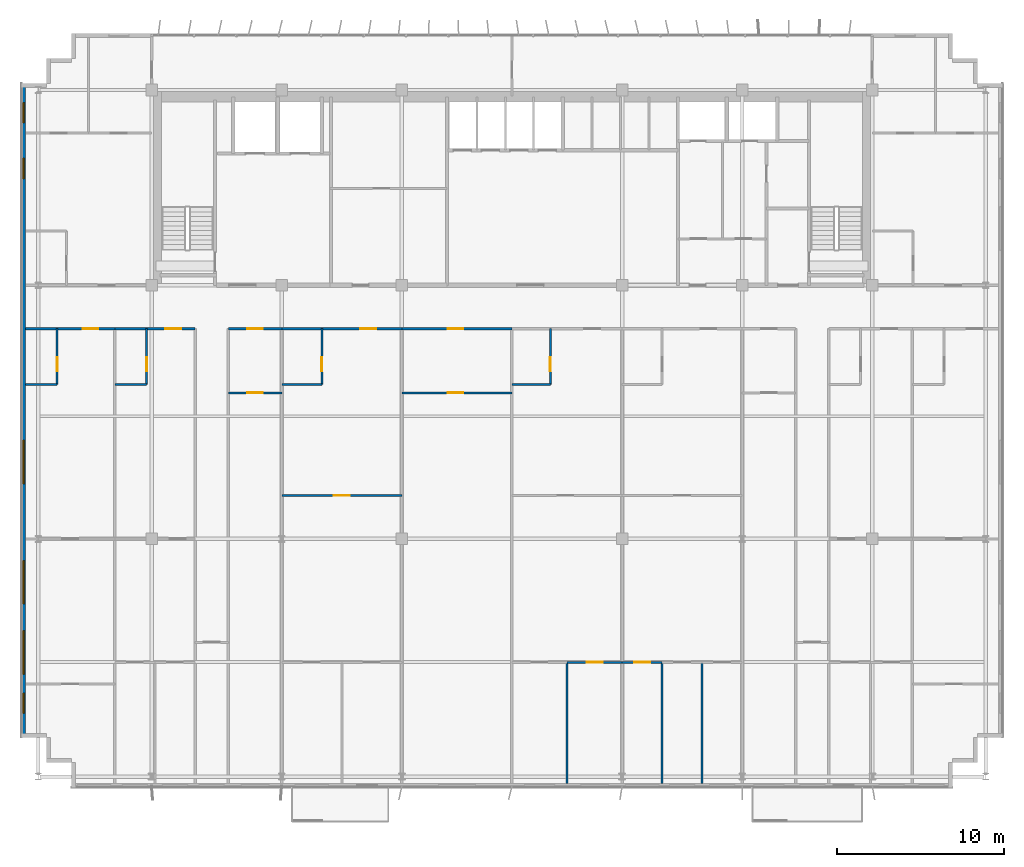
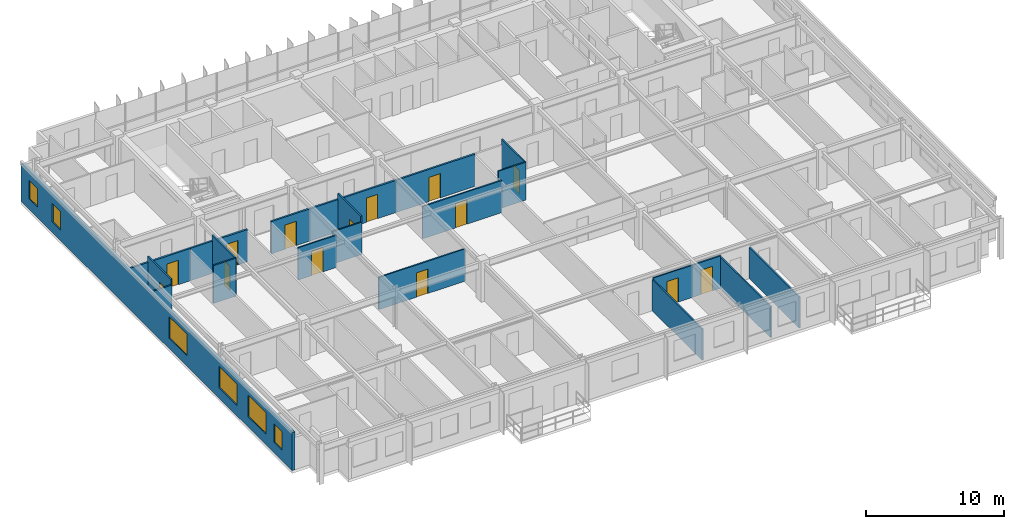
# One storey, part 16 of 22: 22 walls, 14 doors, 6 windows, 20 openings.
"""IFC4 building model written with IfcOpenShell, lengths in metres."""

import ifcopenshell
import ifcopenshell.guid

model = None  # the IFC model being written
_history = None  # IfcOwnerHistory: only IFC2X3 demands one
_inside = {}  # id of a spatial element -> (the spatial element, [elements in it])
_under = {}  # id of a project, library or spatial element -> (it, [spatial elements below it])
_declared = {}  # id of a project -> (the project, [libraries it declares])
_typed = {}  # id of a type object -> (the type object, [elements of that type])
_made_of = {}  # id of a material, layer set ... -> (it, [elements and type objects made of it])


def new_model(schema):
    """Start an empty IFC model of exactly this schema.

    Asked for "IFC4X3", IfcOpenShell would pick the latest addendum, in which some entities
    have other attributes; the version numbers below select the first issue.
    IFC2X3 requires an IfcOwnerHistory on every rooted entity: one is made here for all.
    """
    global model, _history
    if schema == "IFC4X3":
        model = ifcopenshell.file(schema_version=(4, 3, 0, 0))
    else:
        model = ifcopenshell.file(schema=schema)
    _inside.clear()
    _under.clear()
    _declared.clear()
    _typed.clear()
    _made_of.clear()
    _history = None
    if model.schema == "IFC2X3":
        org = make("IfcOrganization", Name="unknown")
        user = make(
            "IfcPersonAndOrganization",
            ThePerson=make("IfcPerson", FamilyName="unknown"),
            TheOrganization=org,
        )
        app = make(
            "IfcApplication",
            ApplicationDeveloper=org,
            Version="unknown",
            ApplicationFullName="unknown",
            ApplicationIdentifier="unknown",
        )
        _history = make(
            "IfcOwnerHistory",
            OwningUser=user,
            OwningApplication=app,
            ChangeAction="ADDED",
            CreationDate=0,
        )
    return model


def make(cls, **values):
    """One entity of the class cls with the attributes given. An attribute that is None is left unset."""
    return model.create_entity(
        cls, **{name: value for name, value in values.items() if value is not None}
    )


def rooted(cls, **values):
    """An entity with a GlobalId (a new one), such as an element, a storey or a relation."""
    return make(cls, GlobalId=ifcopenshell.guid.new(), OwnerHistory=_history, **values)


def si_unit(unit_type, name, prefix=None):
    """IfcSIUnit, for example si_unit("LENGTHUNIT", "METRE", prefix="MILLI")."""
    return make("IfcSIUnit", UnitType=unit_type, Prefix=prefix, Name=name)


def assignment(units):
    """IfcUnitAssignment: the units of a project."""
    return None if units is None else make("IfcUnitAssignment", Units=units)


def point(xyz):
    """IfcCartesianPoint."""
    return None if xyz is None else make("IfcCartesianPoint", Coordinates=xyz)


def direction(xyz):
    """IfcDirection."""
    return None if xyz is None else make("IfcDirection", DirectionRatios=xyz)


def frame(location, z_axis=None, x_axis=None):
    """IfcAxis2Placement3D, a coordinate frame: its origin and axes. An axis left out is left unset."""
    return make(
        "IfcAxis2Placement3D",
        Location=point(location),
        Axis=direction(z_axis),
        RefDirection=direction(x_axis),
    )


def frame_2d(location, x_axis=None):
    """IfcAxis2Placement2D, a coordinate frame in the plane: its origin and x axis."""
    return make(
        "IfcAxis2Placement2D", Location=point(location), RefDirection=direction(x_axis)
    )


def origin():
    """The frame at (0, 0, 0) with its axes left unset."""
    return frame((0.0, 0.0, 0.0))


def place(relative_to, where):
    """IfcLocalPlacement: puts the frame where relative to a parent placement (None: the world)."""
    return make(
        "IfcLocalPlacement", PlacementRelTo=relative_to, RelativePlacement=where
    )


def context(
    kind, dimensions, precision=None, world=None, true_north=None, identifier=None
):
    """IfcGeometricRepresentationContext, for example the 3D "Model" context."""
    return make(
        "IfcGeometricRepresentationContext",
        ContextIdentifier=identifier,
        ContextType=kind,
        CoordinateSpaceDimension=dimensions,
        Precision=precision,
        WorldCoordinateSystem=world,
        TrueNorth=true_north,
    )


def subcontext(parent, identifier, kind, view, scale=None):
    """IfcGeometricRepresentationSubContext, for example "Body" below "Model"."""
    return make(
        "IfcGeometricRepresentationSubContext",
        ContextIdentifier=identifier,
        ContextType=kind,
        ParentContext=parent,
        TargetScale=scale,
        TargetView=view,
    )


def project(units=None, contexts=None):
    """IfcProject with its units and contexts."""
    return rooted(
        "IfcProject",
        Name="project",
        RepresentationContexts=contexts,
        UnitsInContext=assignment(units),
    )


def spatial(cls, under=None, at=None, **own):
    """A site, building, storey or space (cls), placed at a placement, below another one or the project."""
    s = rooted(cls, ObjectPlacement=at, **own)
    if under is not None:
        _under.setdefault(under.id(), (under, []))[1].append(s)
    return s


def profile(cls, at=None, kind="AREA", **sizes):
    """A parametric profile (cls). Its sizes go by their IFC names, for example OverallWidth=200.0."""
    return make(cls, ProfileType=kind, Position=at, **sizes)


def rectangle(**sizes):
    """IfcRectangleProfileDef."""
    return profile("IfcRectangleProfileDef", **sizes)


def extrude(swept, where, along, depth):
    """IfcExtrudedAreaSolid: the profile swept, set in the frame where, extruded along a direction by depth."""
    return make(
        "IfcExtrudedAreaSolid",
        SweptArea=swept,
        Position=where,
        ExtrudedDirection=direction(along),
        Depth=depth,
    )


def shape(context_of_items, identifier, shape_type, items):
    """IfcShapeRepresentation: the items that make up one representation, for example the "Body"."""
    return make(
        "IfcShapeRepresentation",
        ContextOfItems=context_of_items,
        RepresentationIdentifier=identifier,
        RepresentationType=shape_type,
        Items=items,
    )


def source(mapping_origin, context_of_items, identifier, shape_type, items):
    """IfcRepresentationMap: a shape defined once, which mapped items show again and again."""
    return make(
        "IfcRepresentationMap",
        MappingOrigin=mapping_origin,
        MappedRepresentation=shape(context_of_items, identifier, shape_type, items),
    )


def transform(
    local_origin,
    x_axis=None,
    y_axis=None,
    z_axis=None,
    scale=None,
    scale2=None,
    scale3=None,
    uniform=True,
):
    """IfcCartesianTransformationOperator3D, or its non-uniform kind. x_axis, y_axis, z_axis: its Axis1, 2, 3."""
    if uniform:
        return make(
            "IfcCartesianTransformationOperator3D",
            Axis1=direction(x_axis),
            Axis2=direction(y_axis),
            LocalOrigin=point(local_origin),
            Scale=scale,
            Axis3=direction(z_axis),
        )
    return make(
        "IfcCartesianTransformationOperator3DnonUniform",
        Axis1=direction(x_axis),
        Axis2=direction(y_axis),
        LocalOrigin=point(local_origin),
        Scale=scale,
        Axis3=direction(z_axis),
        Scale2=scale2,
        Scale3=scale3,
    )


def mapped(mapping_source, mapping_target):
    """IfcMappedItem: shows the shape of a source again, moved by a transform."""
    return make(
        "IfcMappedItem", MappingSource=mapping_source, MappingTarget=mapping_target
    )


def material(Name=None, Category=None):
    """IfcMaterial."""
    return make("IfcMaterial", Name=Name, Category=Category)


def layer(
    of_material, thickness, ventilated=None, Name=None, Category=None, Priority=None
):
    """IfcMaterialLayer: one layer of a wall or slab, of a material (None: an air gap)."""
    return make(
        "IfcMaterialLayer",
        Material=of_material,
        LayerThickness=thickness,
        IsVentilated=ventilated,
        Name=Name,
        Category=Category,
        Priority=Priority,
    )


def layer_set(layers, Name=None):
    """IfcMaterialLayerSet."""
    return make("IfcMaterialLayerSet", MaterialLayers=layers, LayerSetName=Name)


def made_of(thing, what):
    """Note that an element or type object is made of a material, layer set ...; save() writes the relation."""
    if what is not None:
        _made_of.setdefault(what.id(), (what, []))[1].append(thing)
    return thing


def type_object(cls, material=None, **own):
    """A type object (cls), such as IfcWallType, which elements share."""
    return made_of(rooted(cls, **own), material)


def element(
    cls,
    number,
    at=None,
    inside=None,
    cuts=None,
    type_object=None,
    material=None,
    context=None,
    identifier="Body",
    shape_type=None,
    held_by="IfcProductDefinitionShape",
    body=None,
    shapes=None,
    **own,
):
    """One element of the class cls, such as IfcWall. Its Tag is "e" and its number.

    at: its placement. inside: the storey or other place that contains it. cuts: it is an
    opening in that element (IfcRelVoidsElement). A single representation is given by context,
    identifier, shape_type and body (its items); several are given by shapes. held_by: the class
    of the entity that holds the representations. save() writes the other relations.
    """
    e = rooted(cls, Tag="e%d" % number, ObjectPlacement=at, **own)
    if body is not None:
        shapes = [shape(context, identifier, shape_type, body)]
    if shapes is not None:
        e.Representation = make(held_by, Representations=shapes)
    if inside is not None:
        _inside.setdefault(inside.id(), (inside, []))[1].append(e)
    if cuts is not None:
        rooted(
            "IfcRelVoidsElement", RelatingBuildingElement=cuts, RelatedOpeningElement=e
        )
    if type_object is not None:
        _typed.setdefault(type_object.id(), (type_object, []))[1].append(e)
    return made_of(e, material)


def fill(opening, filler):
    """IfcRelFillsElement: the door or window that sits in an opening."""
    return rooted(
        "IfcRelFillsElement",
        RelatingOpeningElement=opening,
        RelatedBuildingElement=filler,
    )


def aggregate(whole, parts):
    """IfcRelAggregates: a whole, such as a stair, and the parts it consists of."""
    return rooted("IfcRelAggregates", RelatingObject=whole, RelatedObjects=parts)


def save(model, path):
    """Write the relations noted so far, then the file.

    IfcRelAggregates (storeys below a building ...), IfcRelContainedInSpatialStructure (elements
    in a storey), IfcRelDefinesByType, IfcRelAssociatesMaterial and IfcRelDeclares: one each for
    every whole, place, type object, material and project.
    """
    for whole, parts in _under.values():
        aggregate(whole, parts)
    for where, things in _inside.values():
        rooted(
            "IfcRelContainedInSpatialStructure",
            RelatedElements=things,
            RelatingStructure=where,
        )
    for kind, things in _typed.values():
        rooted("IfcRelDefinesByType", RelatedObjects=things, RelatingType=kind)
    for what, things in _made_of.values():
        rooted("IfcRelAssociatesMaterial", RelatedObjects=things, RelatingMaterial=what)
    for by, libraries in _declared.values():
        rooted("IfcRelDeclares", RelatingContext=by, RelatedDefinitions=libraries)
    model.write(path)


model = new_model("IFC4")

# Units and contexts
model_context = context("Model", 3, precision=1e-05, world=origin(), true_north=direction((0.0, 1.0)))
body_context = subcontext(model_context, "Body", "Model", "MODEL_VIEW")
ifc_project = project(units=[si_unit("LENGTHUNIT", "METRE"), si_unit("AREAUNIT", "SQUARE_METRE"), si_unit("VOLUMEUNIT", "CUBIC_METRE"), si_unit("PLANEANGLEUNIT", "RADIAN"), si_unit("MASSUNIT", "GRAM", prefix="KILO")], contexts=[model_context])

# Site, building, storey
site_placement = place(None, origin())
site = spatial("IfcSite", under=ifc_project, at=site_placement, CompositionType="ELEMENT")
building_placement = place(site_placement, origin())
building = spatial("IfcBuilding", under=site, at=building_placement, Name="Trelvane Seafront Commons", CompositionType="ELEMENT")
storey_placement = place(building_placement, frame((0.0, 0.0, 139.300048828125)))
storey = spatial("IfcBuildingStorey", under=building, at=storey_placement, Name="L36", CompositionType="ELEMENT", Elevation=139.300048828125)

# Wall, openings, windows
ifc_material_1 = material(Name="Precast concrete C40/50", Category="concrete")
ifc_layer_1 = layer(ifc_material_1, 0.239990234375, Name="ARCH-WALL-EXT240")
ifc_layer_set_1 = layer_set([ifc_layer_1], Name="Precast concrete C40/50")
wall_type_1 = type_object("IfcWallType", Name="ARCH-WALL-EXT240", PredefinedType="SOLIDWALL", material=ifc_layer_set_1)
wall_1_placement = place(storey_placement, frame((7.919921875, 6.300048828125, 0.0), z_axis=(0.0, 0.0, 1.0), x_axis=(0.0, 1.0, 0.0)))
wall_1 = element("IfcWall", 1, at=wall_1_placement, inside=storey, type_object=wall_type_1, Name="EW-L36-00700", PredefinedType="SOLIDWALL", context=body_context, shape_type="SweptSolid", body=[
    extrude(rectangle(XDim=39.199951171875, YDim=0.239990234375, at=frame_2d((19.60009765625, 0.0))), origin(), (0.0, 0.0, 1.0), 3.349853515625),
])
opening_1_placement = place(wall_1_placement, frame((1.449951171875, 0.0, 0.919921875)))
opening_1 = element("IfcOpeningElement", 2, at=opening_1_placement, cuts=wall_1, Name="Opening W05", PredefinedType="OPENING", context=body_context, shape_type="SweptSolid", body=[
    extrude(rectangle(XDim=1.199951171875, YDim=1.64990234375, at=frame_2d((0.60009765625, 0.824951171875))), frame((0.0, 0.1298828125, 0.0), z_axis=(0.0, -1.0, 0.0), x_axis=(1.0, 0.0, 0.0)), (0.0, 0.0, 1.0), 0.260009765625),
])
opening_2_placement = place(wall_1_placement, frame((3.800048828125, 0.0, 0.919921875)))
opening_2 = element("IfcOpeningElement", 3, at=opening_2_placement, cuts=wall_1, Name="Opening W04", PredefinedType="OPENING", context=body_context, shape_type="SweptSolid", body=[
    extrude(rectangle(XDim=2.60009765625, YDim=1.89990234375, at=frame_2d((1.300048828125, 0.949951171875))), frame((0.0, 0.1298828125, 0.0), z_axis=(0.0, -1.0, 0.0), x_axis=(1.0, 0.0, 0.0)), (0.0, 0.0, 1.0), 0.260009765625),
])
opening_3_placement = place(wall_1_placement, frame((8.0, 0.0, 0.919921875)))
opening_3 = element("IfcOpeningElement", 4, at=opening_3_placement, cuts=wall_1, Name="Opening W04", PredefinedType="OPENING", context=body_context, shape_type="SweptSolid", body=[
    extrude(rectangle(XDim=2.60009765625, YDim=1.89990234375, at=frame_2d((1.300048828125, 0.949951171875))), frame((0.0, 0.1298828125, 0.0), z_axis=(0.0, -1.0, 0.0), x_axis=(1.0, 0.0, 0.0)), (0.0, 0.0, 1.0), 0.260009765625),
])
opening_4_placement = place(wall_1_placement, frame((15.199951171875, 0.0, 0.919921875)))
opening_4 = element("IfcOpeningElement", 5, at=opening_4_placement, cuts=wall_1, Name="Opening W04", PredefinedType="OPENING", context=body_context, shape_type="SweptSolid", body=[
    extrude(rectangle(XDim=2.60009765625, YDim=1.89990234375, at=frame_2d((1.300048828125, 0.949951171875))), frame((0.0, 0.1298828125, 0.0), z_axis=(0.0, -1.0, 0.0), x_axis=(1.0, 0.0, 0.0)), (0.0, 0.0, 1.0), 0.260009765625),
])
opening_5_placement = place(wall_1_placement, frame((33.5, 0.0, 0.919921875)))
opening_5 = element("IfcOpeningElement", 6, at=opening_5_placement, cuts=wall_1, Name="Opening W05", PredefinedType="OPENING", context=body_context, shape_type="SweptSolid", body=[
    extrude(rectangle(XDim=1.199951171875, YDim=1.64990234375, at=frame_2d((0.60009765625, 0.824951171875))), frame((0.0, 0.1298828125, 0.0), z_axis=(0.0, -1.0, 0.0), x_axis=(1.0, 0.0, 0.0)), (0.0, 0.0, 1.0), 0.260009765625),
])
opening_6_placement = place(wall_1_placement, frame((36.85009765625, 0.0, 0.919921875)))
opening_6 = element("IfcOpeningElement", 7, at=opening_6_placement, cuts=wall_1, Name="Opening W05", PredefinedType="OPENING", context=body_context, shape_type="SweptSolid", body=[
    extrude(rectangle(XDim=1.199951171875, YDim=1.64990234375, at=frame_2d((0.60009765625, 0.824951171875))), frame((0.0, 0.1298828125, 0.0), z_axis=(0.0, -1.0, 0.0), x_axis=(1.0, 0.0, 0.0)), (0.0, 0.0, 1.0), 0.260009765625),
])
ifc_material_2 = material(Name="Low-E coastal double glazing", Category="glass")
window_type_1 = type_object("IfcWindowType", Name="ARCH-WIN-W04", PartitioningType="SINGLE_PANEL", PredefinedType="WINDOW", material=ifc_material_2)
shared_shape_1 = source(origin(), body_context, "Body", "SweptSolid", [
    extrude(rectangle(XDim=2.60009765625, YDim=1.89990234375, at=frame_2d((1.300048828125, 0.949951171875))), frame((0.0, 0.030029296875, 0.0), z_axis=(0.0, -1.0, 0.0), x_axis=(1.0, 0.0, 0.0)), (0.0, 0.0, 1.0), 0.06005859375),
])
window_1_placement = place(opening_2_placement, origin())
window_1 = element("IfcWindow", 8, at=window_1_placement, inside=storey, type_object=window_type_1, Name="WIN-L36-EW-00822", OverallHeight=1.89990234375, OverallWidth=2.60009765625, PartitioningType="SINGLE_PANEL", PredefinedType="WINDOW", context=body_context, shape_type="MappedRepresentation", body=[
    mapped(shared_shape_1, transform((0.0, 0.0, 0.0), x_axis=(1.0, 0.0, 0.0), y_axis=(0.0, 1.0, 0.0), z_axis=(0.0, 0.0, 1.0), scale=1.0)),
])
fill(opening_2, window_1)
window_2_placement = place(opening_3_placement, origin())
window_2 = element("IfcWindow", 9, at=window_2_placement, inside=storey, type_object=window_type_1, Name="WIN-L36-EW-00823", OverallHeight=1.89990234375, OverallWidth=2.60009765625, PartitioningType="SINGLE_PANEL", PredefinedType="WINDOW", context=body_context, shape_type="MappedRepresentation", body=[
    mapped(shared_shape_1, transform((0.0, 0.0, 0.0), x_axis=(1.0, 0.0, 0.0), y_axis=(0.0, 1.0, 0.0), z_axis=(0.0, 0.0, 1.0), scale=1.0)),
])
fill(opening_3, window_2)
window_3_placement = place(opening_4_placement, origin())
window_3 = element("IfcWindow", 10, at=window_3_placement, inside=storey, type_object=window_type_1, Name="WIN-L36-EW-00824", OverallHeight=1.89990234375, OverallWidth=2.60009765625, PartitioningType="SINGLE_PANEL", PredefinedType="WINDOW", context=body_context, shape_type="MappedRepresentation", body=[
    mapped(shared_shape_1, transform((0.0, 0.0, 0.0), x_axis=(1.0, 0.0, 0.0), y_axis=(0.0, 1.0, 0.0), z_axis=(0.0, 0.0, 1.0), scale=1.0)),
])
fill(opening_4, window_3)
window_type_2 = type_object("IfcWindowType", Name="ARCH-WIN-W05", PartitioningType="SINGLE_PANEL", PredefinedType="WINDOW", material=ifc_material_2)
shared_shape_2 = source(origin(), body_context, "Body", "SweptSolid", [
    extrude(rectangle(XDim=1.199951171875, YDim=1.64990234375, at=frame_2d((0.60009765625, 0.824951171875))), frame((0.0, 0.030029296875, 0.0), z_axis=(0.0, -1.0, 0.0), x_axis=(1.0, 0.0, 0.0)), (0.0, 0.0, 1.0), 0.06005859375),
])
window_4_placement = place(opening_1_placement, origin())
window_4 = element("IfcWindow", 11, at=window_4_placement, inside=storey, type_object=window_type_2, Name="WIN-L36-EW-00821", OverallHeight=1.64990234375, OverallWidth=1.199951171875, PartitioningType="SINGLE_PANEL", PredefinedType="WINDOW", context=body_context, shape_type="MappedRepresentation", body=[
    mapped(shared_shape_2, transform((0.0, 0.0, 0.0), x_axis=(1.0, 0.0, 0.0), y_axis=(0.0, 1.0, 0.0), z_axis=(0.0, 0.0, 1.0), scale=1.0)),
])
fill(opening_1, window_4)
window_5_placement = place(opening_5_placement, origin())
window_5 = element("IfcWindow", 12, at=window_5_placement, inside=storey, type_object=window_type_2, Name="WIN-L36-EW-00825", OverallHeight=1.64990234375, OverallWidth=1.199951171875, PartitioningType="SINGLE_PANEL", PredefinedType="WINDOW", context=body_context, shape_type="MappedRepresentation", body=[
    mapped(shared_shape_2, transform((0.0, 0.0, 0.0), x_axis=(1.0, 0.0, 0.0), y_axis=(0.0, 1.0, 0.0), z_axis=(0.0, 0.0, 1.0), scale=1.0)),
])
fill(opening_5, window_5)
window_6_placement = place(opening_6_placement, origin())
window_6 = element("IfcWindow", 13, at=window_6_placement, inside=storey, type_object=window_type_2, Name="WIN-L36-EW-00826", OverallHeight=1.64990234375, OverallWidth=1.199951171875, PartitioningType="SINGLE_PANEL", PredefinedType="WINDOW", context=body_context, shape_type="MappedRepresentation", body=[
    mapped(shared_shape_2, transform((0.0, 0.0, 0.0), x_axis=(1.0, 0.0, 0.0), y_axis=(0.0, 1.0, 0.0), z_axis=(0.0, 0.0, 1.0), scale=1.0)),
])
fill(opening_6, window_6)

# Wall, opening, door
ifc_material_3 = material(Name="Gypsum Drywall Acoustic Partition")
ifc_layer_2 = layer(ifc_material_3, 0.1201171875, Name="ARCH-WALL-PART120")
ifc_layer_set_2 = layer_set([ifc_layer_2], Name="Gypsum Drywall Acoustic Partition")
wall_type_2 = type_object("IfcWallType", Name="ARCH-WALL-PART120", PredefinedType="PARTITIONING", material=ifc_layer_set_2)
wall_2_placement = place(storey_placement, frame((9.93994140625, 27.449951171875, 0.0), z_axis=(0.0, 0.0, 1.0), x_axis=(0.0, 1.0, 0.0)))
wall_2 = element("IfcWall", 14, at=wall_2_placement, inside=storey, type_object=wall_type_2, Name="W-L36-U1-BE-059", PredefinedType="PARTITIONING", context=body_context, shape_type="SweptSolid", body=[
    extrude(rectangle(XDim=3.35009765625, YDim=0.1201171875, at=frame_2d((1.675048828125, 0.0))), origin(), (0.0, 0.0, 1.0), 3.349853515625),
])
opening_7_placement = place(wall_2_placement, frame((0.800048828125, 0.0, 0.0)))
opening_7 = element("IfcOpeningElement", 15, at=opening_7_placement, cuts=wall_2, Name="Opening D-L36-32", PredefinedType="OPENING", context=body_context, shape_type="SweptSolid", body=[
    extrude(rectangle(XDim=0.85009765625, YDim=2.10009765625, at=frame_2d((0.425048828125, 1.050048828125))), frame((0.0, 0.070068359375, 0.0), z_axis=(0.0, -1.0, 0.0), x_axis=(1.0, 0.0, 0.0)), (0.0, 0.0, 1.0), 0.14013671875),
])
ifc_material_4 = material(Name="Acoustic timber door leaf", Category="wood")
door_type_1 = type_object("IfcDoorType", Name="ARCH-DR-INT850", OperationType="NOTDEFINED", PredefinedType="DOOR", material=ifc_material_4)
shared_shape_3 = source(origin(), body_context, "Body", "SweptSolid", [
    extrude(rectangle(XDim=0.85009765625, YDim=2.10009765625, at=frame_2d((0.425048828125, 1.050048828125))), frame((0.0, 0.02490234375, 0.0), z_axis=(0.0, -1.0, 0.0), x_axis=(1.0, 0.0, 0.0)), (0.0, 0.0, 1.0), 0.050048828125),
])
door_1_placement = place(opening_7_placement, origin())
door_1 = element("IfcDoor", 16, at=door_1_placement, inside=storey, type_object=door_type_1, Name="L36 Door 32", OperationType="SINGLE_SWING_RIGHT", OverallHeight=2.10009765625, OverallWidth=0.85009765625, PredefinedType="DOOR", context=body_context, shape_type="MappedRepresentation", body=[
    mapped(shared_shape_3, transform((0.0, 0.0, 0.0), x_axis=(1.0, 0.0, 0.0), y_axis=(0.0, 1.0, 0.0), z_axis=(0.0, 0.0, 1.0), scale=1.0)),
])
fill(opening_7, door_1)

# Wall
wall_3_placement = place(storey_placement, frame((8.0400390625, 27.449951171875, 0.0), z_axis=(0.0, 0.0, 1.0), x_axis=(1.0, 0.0, 0.0)))
element("IfcWall", 17, at=wall_3_placement, inside=storey, type_object=wall_type_2, Name="W-L36-U1-BS-060", PredefinedType="PARTITIONING", context=body_context, shape_type="SweptSolid", body=[
    extrude(rectangle(XDim=1.89990234375, YDim=0.1201171875, at=frame_2d((0.949951171875, 0.0))), origin(), (0.0, 0.0, 1.0), 2.849853515625),
])

# Wall, opening, door
wall_4_placement = place(storey_placement, frame((15.300048828125, 27.449951171875, 0.0), z_axis=(0.0, 0.0, 1.0), x_axis=(0.0, 1.0, 0.0)))
wall_4 = element("IfcWall", 18, at=wall_4_placement, inside=storey, type_object=wall_type_2, Name="W-L36-U2-BE-064", PredefinedType="PARTITIONING", context=body_context, shape_type="SweptSolid", body=[
    extrude(rectangle(XDim=3.35009765625, YDim=0.1201171875, at=frame_2d((1.675048828125, 0.0))), origin(), (0.0, 0.0, 1.0), 3.349853515625),
])
opening_8_placement = place(wall_4_placement, frame((0.800048828125, 0.0, 0.0)))
opening_8 = element("IfcOpeningElement", 19, at=opening_8_placement, cuts=wall_4, Name="Opening D-L36-36", PredefinedType="OPENING", context=body_context, shape_type="SweptSolid", body=[
    extrude(rectangle(XDim=0.85009765625, YDim=2.10009765625, at=frame_2d((0.425048828125, 1.050048828125))), frame((0.0, 0.070068359375, 0.0), z_axis=(0.0, -1.0, 0.0), x_axis=(1.0, 0.0, 0.0)), (0.0, 0.0, 1.0), 0.14013671875),
])
door_2_placement = place(opening_8_placement, origin())
door_2 = element("IfcDoor", 20, at=door_2_placement, inside=storey, type_object=door_type_1, Name="L36 Door 36", OperationType="SINGLE_SWING_RIGHT", OverallHeight=2.10009765625, OverallWidth=0.85009765625, PredefinedType="DOOR", context=body_context, shape_type="MappedRepresentation", body=[
    mapped(shared_shape_3, transform((0.0, 0.0, 0.0), x_axis=(1.0, 0.0, 0.0), y_axis=(0.0, 1.0, 0.0), z_axis=(0.0, 0.0, 1.0), scale=1.0)),
])
fill(opening_8, door_2)

# Wall
wall_5_placement = place(storey_placement, frame((13.39990234375, 27.449951171875, 0.0), z_axis=(0.0, 0.0, 1.0), x_axis=(1.0, 0.0, 0.0)))
element("IfcWall", 21, at=wall_5_placement, inside=storey, type_object=wall_type_2, Name="W-L36-U2-BS-065", PredefinedType="PARTITIONING", context=body_context, shape_type="SweptSolid", body=[
    extrude(rectangle(XDim=1.900146484375, YDim=0.1201171875, at=frame_2d((0.9501953125, 0.0))), origin(), (0.0, 0.0, 1.0), 3.349853515625),
])

# Wall, opening, door
wall_6_placement = place(storey_placement, frame((20.199951171875, 26.949951171875, 0.0), z_axis=(0.0, 0.0, 1.0), x_axis=(1.0, 0.0, 0.0)))
wall_6 = element("IfcWall", 22, at=wall_6_placement, inside=storey, type_object=wall_type_2, Name="W-L36-U4-DIV-074", PredefinedType="PARTITIONING", context=body_context, shape_type="SweptSolid", body=[
    extrude(rectangle(XDim=3.199951171875, YDim=0.1201171875, at=frame_2d((1.60009765625, 0.0))), origin(), (0.0, 0.0, 1.0), 2.849853515625),
])
opening_9_placement = place(wall_6_placement, frame((1.125, 0.0, 0.0)))
opening_9 = element("IfcOpeningElement", 23, at=opening_9_placement, cuts=wall_6, Name="Opening D-L36-42", PredefinedType="OPENING", context=body_context, shape_type="SweptSolid", body=[
    extrude(rectangle(XDim=0.949951171875, YDim=2.14990234375, at=frame_2d((0.47509765625, 1.074951171875))), frame((0.0, 0.070068359375, 0.0), z_axis=(0.0, -1.0, 0.0), x_axis=(1.0, 0.0, 0.0)), (0.0, 0.0, 1.0), 0.14013671875),
])
door_type_2 = type_object("IfcDoorType", Name="ARCH-DR-INT950", OperationType="NOTDEFINED", PredefinedType="DOOR", material=ifc_material_4)
shared_shape_4 = source(origin(), body_context, "Body", "SweptSolid", [
    extrude(rectangle(XDim=0.949951171875, YDim=2.14990234375, at=frame_2d((0.47509765625, 1.074951171875))), frame((0.0, 0.02490234375, 0.0), z_axis=(0.0, -1.0, 0.0), x_axis=(1.0, 0.0, 0.0)), (0.0, 0.0, 1.0), 0.050048828125),
])
door_3_placement = place(opening_9_placement, origin())
door_3 = element("IfcDoor", 24, at=door_3_placement, inside=storey, type_object=door_type_2, Name="L36 Door 42", OperationType="SINGLE_SWING_RIGHT", OverallHeight=2.14990234375, OverallWidth=0.949951171875, PredefinedType="DOOR", context=body_context, shape_type="MappedRepresentation", body=[
    mapped(shared_shape_4, transform((0.0, 0.0, 0.0), x_axis=(1.0, 0.0, 0.0), y_axis=(0.0, 1.0, 0.0), z_axis=(0.0, 0.0, 1.0), scale=1.0)),
])
fill(opening_9, door_3)

wall_7_placement = place(storey_placement, frame((23.39990234375, 20.800048828125, 0.0), z_axis=(0.0, 0.0, 1.0), x_axis=(1.0, 0.0, 0.0)))
wall_7 = element("IfcWall", 25, at=wall_7_placement, inside=storey, type_object=wall_type_2, Name="W-L36-U5-KL-075", PredefinedType="PARTITIONING", context=body_context, shape_type="SweptSolid", body=[
    extrude(rectangle(XDim=7.2001953125, YDim=0.1201171875, at=frame_2d((3.60009765625, 0.0))), origin(), (0.0, 0.0, 1.0), 2.849853515625),
])
opening_10_placement = place(wall_7_placement, frame((3.125, 0.0, 0.0)))
opening_10 = element("IfcOpeningElement", 26, at=opening_10_placement, cuts=wall_7, Name="Opening D-L36-43", PredefinedType="OPENING", context=body_context, shape_type="SweptSolid", body=[
    extrude(rectangle(XDim=0.949951171875, YDim=2.14990234375, at=frame_2d((0.47509765625, 1.074951171875))), frame((0.0, 0.070068359375, 0.0), z_axis=(0.0, -1.0, 0.0), x_axis=(1.0, 0.0, 0.0)), (0.0, 0.0, 1.0), 0.14013671875),
])
door_4_placement = place(opening_10_placement, origin())
door_4 = element("IfcDoor", 27, at=door_4_placement, inside=storey, type_object=door_type_2, Name="L36 Door 43", OperationType="SINGLE_SWING_LEFT", OverallHeight=2.14990234375, OverallWidth=0.949951171875, PredefinedType="DOOR", context=body_context, shape_type="MappedRepresentation", body=[
    mapped(shared_shape_4, transform((0.0, 0.0, 0.0), x_axis=(1.0, 0.0, 0.0), y_axis=(0.0, 1.0, 0.0), z_axis=(0.0, 0.0, 1.0), scale=1.0)),
])
fill(opening_10, door_4)

wall_8_placement = place(storey_placement, frame((25.800048828125, 27.449951171875, 0.0), z_axis=(0.0, 0.0, 1.0), x_axis=(0.0, 1.0, 0.0)))
wall_8 = element("IfcWall", 28, at=wall_8_placement, inside=storey, type_object=wall_type_2, Name="W-L36-U5-BE-076", PredefinedType="PARTITIONING", context=body_context, shape_type="SweptSolid", body=[
    extrude(rectangle(XDim=3.35009765625, YDim=0.1201171875, at=frame_2d((1.675048828125, 0.0))), origin(), (0.0, 0.0, 1.0), 3.349853515625),
])
opening_11_placement = place(wall_8_placement, frame((0.800048828125, 0.0, 0.0)))
opening_11 = element("IfcOpeningElement", 29, at=opening_11_placement, cuts=wall_8, Name="Opening D-L36-44", PredefinedType="OPENING", context=body_context, shape_type="SweptSolid", body=[
    extrude(rectangle(XDim=0.85009765625, YDim=2.10009765625, at=frame_2d((0.425048828125, 1.050048828125))), frame((0.0, 0.070068359375, 0.0), z_axis=(0.0, -1.0, 0.0), x_axis=(1.0, 0.0, 0.0)), (0.0, 0.0, 1.0), 0.14013671875),
])
door_5_placement = place(opening_11_placement, origin())
door_5 = element("IfcDoor", 30, at=door_5_placement, inside=storey, type_object=door_type_1, Name="L36 Door 44", OperationType="SINGLE_SWING_RIGHT", OverallHeight=2.10009765625, OverallWidth=0.85009765625, PredefinedType="DOOR", context=body_context, shape_type="MappedRepresentation", body=[
    mapped(shared_shape_3, transform((0.0, 0.0, 0.0), x_axis=(1.0, 0.0, 0.0), y_axis=(0.0, 1.0, 0.0), z_axis=(0.0, 0.0, 1.0), scale=1.0)),
])
fill(opening_11, door_5)

# Wall
wall_9_placement = place(storey_placement, frame((23.39990234375, 27.449951171875, 0.0), z_axis=(0.0, 0.0, 1.0), x_axis=(1.0, 0.0, 0.0)))
element("IfcWall", 31, at=wall_9_placement, inside=storey, type_object=wall_type_2, Name="W-L36-U5-BS-077", PredefinedType="PARTITIONING", context=body_context, shape_type="SweptSolid", body=[
    extrude(rectangle(XDim=2.400146484375, YDim=0.1201171875, at=frame_2d((1.2001953125, 0.0))), origin(), (0.0, 0.0, 1.0), 2.849853515625),
])

# Wall, opening, door
wall_10_placement = place(storey_placement, frame((30.60009765625, 26.949951171875, 0.0), z_axis=(0.0, 0.0, 1.0), x_axis=(1.0, 0.0, 0.0)))
wall_10 = element("IfcWall", 32, at=wall_10_placement, inside=storey, type_object=wall_type_2, Name="W-L36-U6-DIV-083", PredefinedType="PARTITIONING", context=body_context, shape_type="SweptSolid", body=[
    extrude(rectangle(XDim=6.599853515625, YDim=0.1201171875, at=frame_2d((3.2998046875, 0.0))), origin(), (0.0, 0.0, 1.0), 2.849853515625),
])
opening_12_placement = place(wall_10_placement, frame((2.73388671875, 0.0, 0.0)))
opening_12 = element("IfcOpeningElement", 33, at=opening_12_placement, cuts=wall_10, Name="Opening D-L36-49", PredefinedType="OPENING", context=body_context, shape_type="SweptSolid", body=[
    extrude(rectangle(XDim=0.949951171875, YDim=2.14990234375, at=frame_2d((0.47509765625, 1.074951171875))), frame((0.0, 0.070068359375, 0.0), z_axis=(0.0, -1.0, 0.0), x_axis=(1.0, 0.0, 0.0)), (0.0, 0.0, 1.0), 0.14013671875),
])
door_6_placement = place(opening_12_placement, origin())
door_6 = element("IfcDoor", 34, at=door_6_placement, inside=storey, type_object=door_type_2, Name="L36 Door 49", OperationType="SINGLE_SWING_LEFT", OverallHeight=2.14990234375, OverallWidth=0.949951171875, PredefinedType="DOOR", context=body_context, shape_type="MappedRepresentation", body=[
    mapped(shared_shape_4, transform((0.0, 0.0, 0.0), x_axis=(1.0, 0.0, 0.0), y_axis=(0.0, 1.0, 0.0), z_axis=(0.0, 0.0, 1.0), scale=1.0)),
])
fill(opening_12, door_6)

wall_11_placement = place(storey_placement, frame((39.493896484375, 27.449951171875, 0.0), z_axis=(0.0, 0.0, 1.0), x_axis=(0.0, 1.0, 0.0)))
wall_11 = element("IfcWall", 35, at=wall_11_placement, inside=storey, type_object=wall_type_2, Name="W-L36-U7-BE-085", PredefinedType="PARTITIONING", context=body_context, shape_type="SweptSolid", body=[
    extrude(rectangle(XDim=3.35009765625, YDim=0.1201171875, at=frame_2d((1.675048828125, 0.0))), origin(), (0.0, 0.0, 1.0), 3.349853515625),
])
opening_13_placement = place(wall_11_placement, frame((0.800048828125, 0.0, 0.0)))
opening_13 = element("IfcOpeningElement", 36, at=opening_13_placement, cuts=wall_11, Name="Opening D-L36-51", PredefinedType="OPENING", context=body_context, shape_type="SweptSolid", body=[
    extrude(rectangle(XDim=0.85009765625, YDim=2.10009765625, at=frame_2d((0.425048828125, 1.050048828125))), frame((0.0, 0.070068359375, 0.0), z_axis=(0.0, -1.0, 0.0), x_axis=(1.0, 0.0, 0.0)), (0.0, 0.0, 1.0), 0.14013671875),
])
door_7_placement = place(opening_13_placement, origin())
door_7 = element("IfcDoor", 37, at=door_7_placement, inside=storey, type_object=door_type_1, Name="L36 Door 51", OperationType="SINGLE_SWING_LEFT", OverallHeight=2.10009765625, OverallWidth=0.85009765625, PredefinedType="DOOR", context=body_context, shape_type="MappedRepresentation", body=[
    mapped(shared_shape_3, transform((0.0, 0.0, 0.0), x_axis=(1.0, 0.0, 0.0), y_axis=(0.0, 1.0, 0.0), z_axis=(0.0, 0.0, 1.0), scale=1.0)),
])
fill(opening_13, door_7)

# Wall
wall_12_placement = place(storey_placement, frame((37.199951171875, 27.449951171875, 0.0), z_axis=(0.0, 0.0, 1.0), x_axis=(1.0, 0.0, 0.0)))
element("IfcWall", 38, at=wall_12_placement, inside=storey, type_object=wall_type_2, Name="W-L36-U7-BS-086", PredefinedType="PARTITIONING", context=body_context, shape_type="SweptSolid", body=[
    extrude(rectangle(XDim=2.2939453125, YDim=0.1201171875, at=frame_2d((1.14697265625, 0.0))), origin(), (0.0, 0.0, 1.0), 3.349853515625),
])

# Wall, opening, door
wall_13_placement = place(storey_placement, frame((40.5, 10.800048828125, 0.0), z_axis=(0.0, 0.0, 1.0), x_axis=(1.0, 0.0, 0.0)))
wall_13 = element("IfcWall", 39, at=wall_13_placement, inside=storey, type_object=wall_type_2, Name="W-L36-U7-YM-2-089", PredefinedType="PARTITIONING", context=body_context, shape_type="SweptSolid", body=[
    extrude(rectangle(XDim=3.300048828125, YDim=0.1201171875, at=frame_2d((1.64990234375, 0.0))), origin(), (0.0, 0.0, 1.0), 2.849853515625),
])
opening_14_placement = place(wall_13_placement, frame((1.175048828125, 0.0, 0.0)))
opening_14 = element("IfcOpeningElement", 40, at=opening_14_placement, cuts=wall_13, Name="Opening D-L36-54", PredefinedType="OPENING", context=body_context, shape_type="SweptSolid", body=[
    extrude(rectangle(XDim=0.949951171875, YDim=2.14990234375, at=frame_2d((0.47509765625, 1.074951171875))), frame((0.0, 0.070068359375, 0.0), z_axis=(0.0, -1.0, 0.0), x_axis=(1.0, 0.0, 0.0)), (0.0, 0.0, 1.0), 0.14013671875),
])
door_8_placement = place(opening_14_placement, origin())
door_8 = element("IfcDoor", 41, at=door_8_placement, inside=storey, type_object=door_type_2, Name="L36 Door 54", OperationType="SINGLE_SWING_RIGHT", OverallHeight=2.14990234375, OverallWidth=0.949951171875, PredefinedType="DOOR", context=body_context, shape_type="MappedRepresentation", body=[
    mapped(shared_shape_4, transform((0.0, 0.0, 0.0), x_axis=(1.0, 0.0, 0.0), y_axis=(0.0, 1.0, 0.0), z_axis=(0.0, 0.0, 1.0), scale=1.0)),
])
fill(opening_14, door_8)

# Wall
wall_14_placement = place(storey_placement, frame((40.5, 3.52490234375, 0.0), z_axis=(0.0, 0.0, 1.0), x_axis=(0.0, 1.0, 0.0)))
element("IfcWall", 42, at=wall_14_placement, inside=storey, type_object=wall_type_2, Name="W-L36-U7-BDV-1-090", PredefinedType="PARTITIONING", context=body_context, shape_type="SweptSolid", body=[
    extrude(rectangle(XDim=7.275146484375, YDim=0.1201171875, at=frame_2d((3.6376953125, 0.0))), origin(), (0.0, 0.0, 1.0), 2.75),
])

# Wall, opening, door
wall_15_placement = place(storey_placement, frame((43.800048828125, 10.800048828125, 0.0), z_axis=(0.0, 0.0, 1.0), x_axis=(1.0, 0.0, 0.0)))
wall_15 = element("IfcWall", 43, at=wall_15_placement, inside=storey, type_object=wall_type_2, Name="W-L36-U8-YM-1-095", PredefinedType="PARTITIONING", context=body_context, shape_type="SweptSolid", body=[
    extrude(rectangle(XDim=2.39990234375, YDim=0.1201171875, at=frame_2d((1.199951171875, 0.0))), origin(), (0.0, 0.0, 1.0), 2.849853515625),
])
opening_15_placement = place(wall_15_placement, frame((0.72509765625, 0.0, 0.0)))
opening_15 = element("IfcOpeningElement", 44, at=opening_15_placement, cuts=wall_15, Name="Opening D-L36-58", PredefinedType="OPENING", context=body_context, shape_type="SweptSolid", body=[
    extrude(rectangle(XDim=0.949951171875, YDim=2.14990234375, at=frame_2d((0.47509765625, 1.074951171875))), frame((0.0, 0.070068359375, 0.0), z_axis=(0.0, -1.0, 0.0), x_axis=(1.0, 0.0, 0.0)), (0.0, 0.0, 1.0), 0.14013671875),
])
door_9_placement = place(opening_15_placement, origin())
door_9 = element("IfcDoor", 45, at=door_9_placement, inside=storey, type_object=door_type_2, Name="L36 Door 58", OperationType="SINGLE_SWING_RIGHT", OverallHeight=2.14990234375, OverallWidth=0.949951171875, PredefinedType="DOOR", context=body_context, shape_type="MappedRepresentation", body=[
    mapped(shared_shape_4, transform((0.0, 0.0, 0.0), x_axis=(1.0, 0.0, 0.0), y_axis=(0.0, 1.0, 0.0), z_axis=(0.0, 0.0, 1.0), scale=1.0)),
])
fill(opening_15, door_9)

# Walls
for number, where, z_axis, x_axis, name in (
    (46, (46.199951171875, 3.52490234375, 0.0), (0.0, 0.0, 1.0), (0.0, 1.0, 0.0), "W-L36-U8-BDV-1-097"),
    (47, (48.60009765625, 3.52490234375, 0.0), (0.0, 0.0, 1.0), (0.0, 1.0, 0.0), "W-L36-U8-BDV-2-099"),
):
    element("IfcWall", number, at=place(storey_placement, frame(where, z_axis=z_axis, x_axis=x_axis)), inside=storey, type_object=wall_type_2, Name=name, PredefinedType="PARTITIONING", context=body_context, shape_type="SweptSolid", body=[
        extrude(rectangle(XDim=7.275146484375, YDim=0.1201171875, at=frame_2d((3.6376953125, 0.0))), origin(), (0.0, 0.0, 1.0), 2.75),
    ])

# Wall, opening, door
ifc_layer_3 = layer(ifc_material_3, 0.14990234375, Name="ARCH-WALL-PART150")
ifc_layer_set_3 = layer_set([ifc_layer_3], Name="Gypsum Drywall Acoustic Partition")
wall_type_3 = type_object("IfcWallType", Name="ARCH-WALL-PART150", PredefinedType="PARTITIONING", material=ifc_layer_set_3)
wall_16_placement = place(storey_placement, frame((8.02490234375, 30.800048828125, 0.0), z_axis=(0.0, 0.0, 1.0), x_axis=(1.0, 0.0, 0.0)))
wall_16 = element("IfcWall", 48, at=wall_16_placement, inside=storey, type_object=wall_type_3, Name="W-L36-CS-BAY-1-061", PredefinedType="PARTITIONING", context=body_context, shape_type="SweptSolid", body=[
    extrude(rectangle(XDim=5.375, YDim=0.14990234375, at=frame_2d((2.6875, 0.0))), origin(), (0.0, 0.0, 1.0), 2.849853515625),
])
opening_16_placement = place(wall_16_placement, frame((3.43994140625, 0.0, 0.0)))
opening_16 = element("IfcOpeningElement", 49, at=opening_16_placement, cuts=wall_16, Name="Opening FD-L36-33", PredefinedType="OPENING", context=body_context, shape_type="SweptSolid", body=[
    extrude(rectangle(XDim=0.949951171875, YDim=2.14990234375, at=frame_2d((0.47509765625, 1.074951171875))), frame((0.0, 0.0849609375, 0.0), z_axis=(0.0, -1.0, 0.0), x_axis=(1.0, 0.0, 0.0)), (0.0, 0.0, 1.0), 0.169921875),
])
ifc_material_5 = material(Name="Powder-coated aluminium frame", Category="aluminium")
door_type_3 = type_object("IfcDoorType", Name="ARCH-DR-FD60-950", OperationType="NOTDEFINED", PredefinedType="DOOR", material=ifc_material_5)
door_10_placement = place(opening_16_placement, origin())
door_10 = element("IfcDoor", 50, at=door_10_placement, inside=storey, type_object=door_type_3, Name="L36 Unit 01 Entrance Door", OperationType="SINGLE_SWING_LEFT", OverallHeight=2.14990234375, OverallWidth=0.949951171875, PredefinedType="DOOR", context=body_context, shape_type="MappedRepresentation", body=[
    mapped(shared_shape_4, transform((0.0, 0.0, 0.0), x_axis=(1.0, 0.0, 0.0), y_axis=(0.0, 1.0, 0.0), z_axis=(0.0, 0.0, 1.0), scale=1.0)),
])
fill(opening_16, door_10)

wall_17_placement = place(storey_placement, frame((13.39990234375, 30.800048828125, 0.0), z_axis=(0.0, 0.0, 1.0), x_axis=(1.0, 0.0, 0.0)))
wall_17 = element("IfcWall", 51, at=wall_17_placement, inside=storey, type_object=wall_type_3, Name="W-L36-CS-BAY-2-066", PredefinedType="PARTITIONING", context=body_context, shape_type="SweptSolid", body=[
    extrude(rectangle(XDim=4.800048828125, YDim=0.14990234375, at=frame_2d((2.39990234375, 0.0))), origin(), (0.0, 0.0, 1.0), 2.849853515625),
])
opening_17_placement = place(wall_17_placement, frame((3.01904296875, 0.0, 0.0)))
opening_17 = element("IfcOpeningElement", 52, at=opening_17_placement, cuts=wall_17, Name="Opening FD-L36-37", PredefinedType="OPENING", context=body_context, shape_type="SweptSolid", body=[
    extrude(rectangle(XDim=0.949951171875, YDim=2.14990234375, at=frame_2d((0.47509765625, 1.074951171875))), frame((0.0, 0.0849609375, 0.0), z_axis=(0.0, -1.0, 0.0), x_axis=(1.0, 0.0, 0.0)), (0.0, 0.0, 1.0), 0.169921875),
])
door_11_placement = place(opening_17_placement, origin())
door_11 = element("IfcDoor", 53, at=door_11_placement, inside=storey, type_object=door_type_3, Name="L36 Unit 02 Entrance Door", OperationType="SINGLE_SWING_LEFT", OverallHeight=2.14990234375, OverallWidth=0.949951171875, PredefinedType="DOOR", context=body_context, shape_type="MappedRepresentation", body=[
    mapped(shared_shape_4, transform((0.0, 0.0, 0.0), x_axis=(1.0, 0.0, 0.0), y_axis=(0.0, 1.0, 0.0), z_axis=(0.0, 0.0, 1.0), scale=1.0)),
])
fill(opening_17, door_11)

wall_18_placement = place(storey_placement, frame((20.199951171875, 30.800048828125, 0.0), z_axis=(0.0, 0.0, 1.0), x_axis=(1.0, 0.0, 0.0)))
wall_18 = element("IfcWall", 54, at=wall_18_placement, inside=storey, type_object=wall_type_3, Name="W-L36-CS-BAY-4-073", PredefinedType="PARTITIONING", context=body_context, shape_type="SweptSolid", body=[
    extrude(rectangle(XDim=3.199951171875, YDim=0.14990234375, at=frame_2d((1.60009765625, 0.0))), origin(), (0.0, 0.0, 1.0), 2.849853515625),
])
opening_18_placement = place(wall_18_placement, frame((1.125, 0.0, 0.0)))
opening_18 = element("IfcOpeningElement", 55, at=opening_18_placement, cuts=wall_18, Name="Opening FD-L36-41", PredefinedType="OPENING", context=body_context, shape_type="SweptSolid", body=[
    extrude(rectangle(XDim=0.949951171875, YDim=2.14990234375, at=frame_2d((0.47509765625, 1.074951171875))), frame((0.0, 0.0849609375, 0.0), z_axis=(0.0, -1.0, 0.0), x_axis=(1.0, 0.0, 0.0)), (0.0, 0.0, 1.0), 0.169921875),
])
door_12_placement = place(opening_18_placement, origin())
door_12 = element("IfcDoor", 56, at=door_12_placement, inside=storey, type_object=door_type_3, Name="L36 Bay 04 Entrance Door", OperationType="SINGLE_SWING_LEFT", OverallHeight=2.14990234375, OverallWidth=0.949951171875, PredefinedType="DOOR", context=body_context, shape_type="MappedRepresentation", body=[
    mapped(shared_shape_4, transform((0.0, 0.0, 0.0), x_axis=(1.0, 0.0, 0.0), y_axis=(0.0, 1.0, 0.0), z_axis=(0.0, 0.0, 1.0), scale=1.0)),
])
fill(opening_18, door_12)

wall_19_placement = place(storey_placement, frame((23.39990234375, 30.800048828125, 0.0), z_axis=(0.0, 0.0, 1.0), x_axis=(1.0, 0.0, 0.0)))
wall_19 = element("IfcWall", 57, at=wall_19_placement, inside=storey, type_object=wall_type_3, Name="W-L36-CS-BAY-5-078", PredefinedType="PARTITIONING", context=body_context, shape_type="SweptSolid", body=[
    extrude(rectangle(XDim=7.2001953125, YDim=0.14990234375, at=frame_2d((3.60009765625, 0.0))), origin(), (0.0, 0.0, 1.0), 2.849853515625),
])
opening_19_placement = place(wall_19_placement, frame((4.7060546875, 0.0, 0.0)))
opening_19 = element("IfcOpeningElement", 58, at=opening_19_placement, cuts=wall_19, Name="Opening FD-L36-45", PredefinedType="OPENING", context=body_context, shape_type="SweptSolid", body=[
    extrude(rectangle(XDim=0.949951171875, YDim=2.14990234375, at=frame_2d((0.47509765625, 1.074951171875))), frame((0.0, 0.0849609375, 0.0), z_axis=(0.0, -1.0, 0.0), x_axis=(1.0, 0.0, 0.0)), (0.0, 0.0, 1.0), 0.169921875),
])
door_13_placement = place(opening_19_placement, origin())
door_13 = element("IfcDoor", 59, at=door_13_placement, inside=storey, type_object=door_type_3, Name="L36 Unit 05 Entrance Door", OperationType="SINGLE_SWING_LEFT", OverallHeight=2.14990234375, OverallWidth=0.949951171875, PredefinedType="DOOR", context=body_context, shape_type="MappedRepresentation", body=[
    mapped(shared_shape_4, transform((0.0, 0.0, 0.0), x_axis=(1.0, 0.0, 0.0), y_axis=(0.0, 1.0, 0.0), z_axis=(0.0, 0.0, 1.0), scale=1.0)),
])
fill(opening_19, door_13)

wall_20_placement = place(storey_placement, frame((30.60009765625, 30.800048828125, 0.0), z_axis=(0.0, 0.0, 1.0), x_axis=(1.0, 0.0, 0.0)))
wall_20 = element("IfcWall", 60, at=wall_20_placement, inside=storey, type_object=wall_type_3, Name="W-L36-CS-BAY-6-082", PredefinedType="PARTITIONING", context=body_context, shape_type="SweptSolid", body=[
    extrude(rectangle(XDim=6.599853515625, YDim=0.14990234375, at=frame_2d((3.2998046875, 0.0))), origin(), (0.0, 0.0, 1.0), 2.849853515625),
])
opening_20_placement = place(wall_20_placement, frame((2.73388671875, 0.0, 0.0)))
opening_20 = element("IfcOpeningElement", 61, at=opening_20_placement, cuts=wall_20, Name="Opening FD-L36-48", PredefinedType="OPENING", context=body_context, shape_type="SweptSolid", body=[
    extrude(rectangle(XDim=0.949951171875, YDim=2.14990234375, at=frame_2d((0.47509765625, 1.074951171875))), frame((0.0, 0.0849609375, 0.0), z_axis=(0.0, -1.0, 0.0), x_axis=(1.0, 0.0, 0.0)), (0.0, 0.0, 1.0), 0.169921875),
])
door_14_placement = place(opening_20_placement, origin())
door_14 = element("IfcDoor", 62, at=door_14_placement, inside=storey, type_object=door_type_3, Name="L36 Bay 06 Entrance Door", OperationType="SINGLE_SWING_RIGHT", OverallHeight=2.14990234375, OverallWidth=0.949951171875, PredefinedType="DOOR", context=body_context, shape_type="MappedRepresentation", body=[
    mapped(shared_shape_4, transform((0.0, 0.0, 0.0), x_axis=(1.0, 0.0, 0.0), y_axis=(0.0, 1.0, 0.0), z_axis=(0.0, 0.0, 1.0), scale=1.0)),
])
fill(opening_20, door_14)

save(model, "model.ifc")
